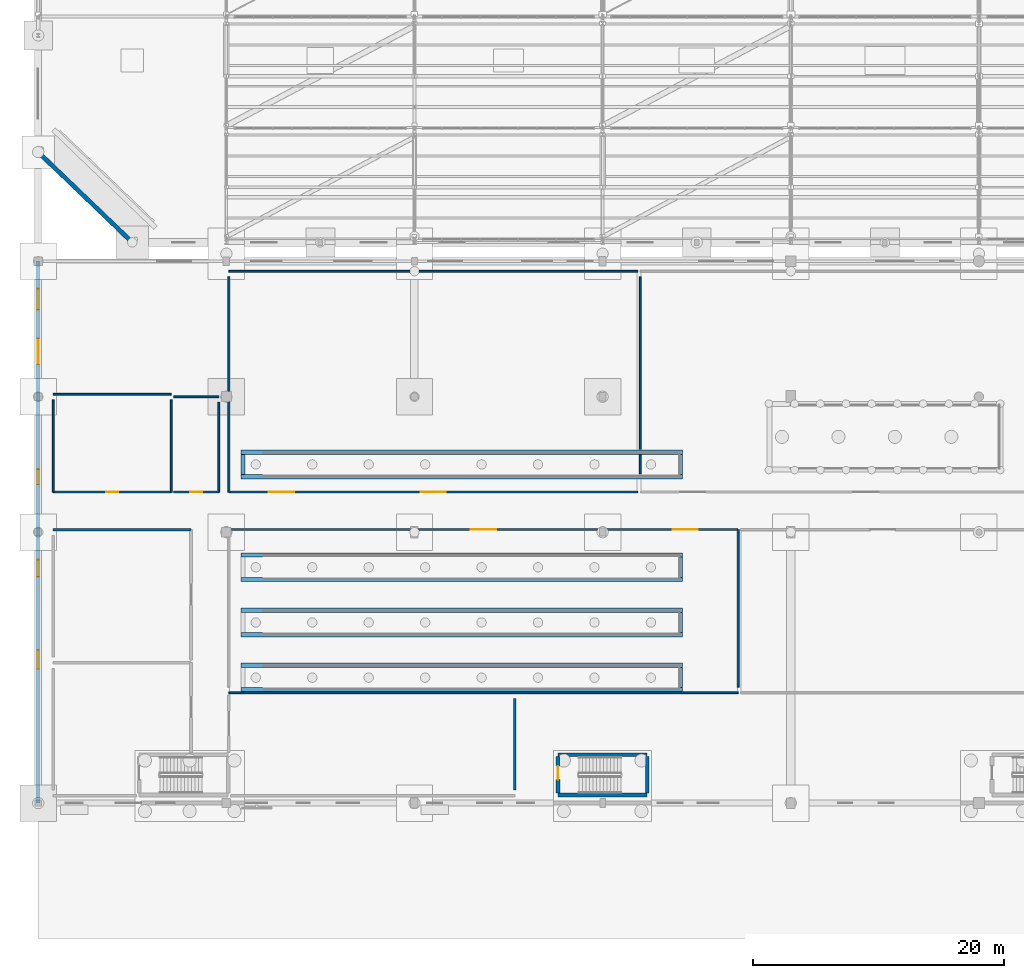
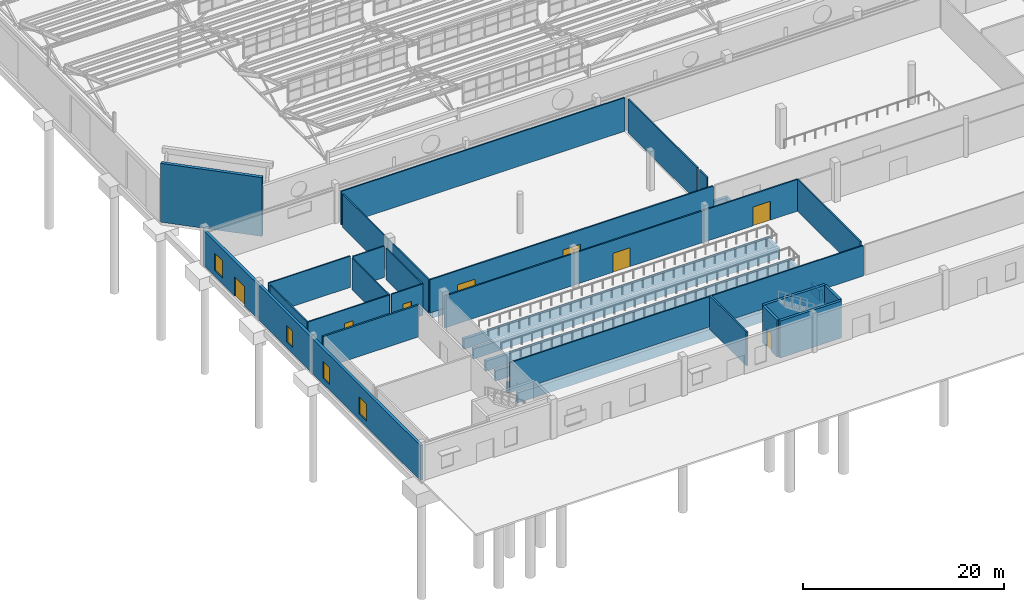
# One storey, part 249 of 285: 36 walls, 8 doors, 4 windows, 12 openings.
"""IFC4 building model written with IfcOpenShell, lengths in metres."""

from ifc_helpers import new_model, si_unit, direction, frame, frame_2d, origin, place, context, subcontext, project, spatial, rectangle, extrude, material, layer, layer_set, type_object, element, fill, save


model = new_model("IFC4")

# Units and contexts
model_context = context("Model", 3, precision=1e-05, world=origin(), true_north=direction((0.0, 1.0)))
body_context = subcontext(model_context, "Body", "Model", "MODEL_VIEW")
ifc_project = project(units=[si_unit("LENGTHUNIT", "METRE"), si_unit("AREAUNIT", "SQUARE_METRE"), si_unit("VOLUMEUNIT", "CUBIC_METRE"), si_unit("PLANEANGLEUNIT", "RADIAN"), si_unit("MASSUNIT", "GRAM", prefix="KILO")], contexts=[model_context])

# Site, building, storey
site_placement = place(None, origin())
site = spatial("IfcSite", under=ifc_project, at=site_placement, CompositionType="ELEMENT")
building_placement = place(site_placement, origin())
building = spatial("IfcBuilding", under=site, at=building_placement, Name="Solanera Park Tramway Depot", CompositionType="ELEMENT")
storey_placement = place(building_placement, origin())
storey = spatial("IfcBuildingStorey", under=building, at=storey_placement, Name="L00", CompositionType="ELEMENT", Elevation=0.0)

# Walls
ifc_material_1 = material(Name="Concrete N32 (C32/40)", Category="concrete")
ifc_layer_1 = layer(ifc_material_1, 0.14990234375)
ifc_layer_set_1 = layer_set([ifc_layer_1], Name="Concrete N32 (C32/40)")
wall_type_1 = type_object("IfcWallType", Name="Acoustic Partition 150", PredefinedType="PARTITIONING", material=ifc_layer_set_1)
wall_1_placement = place(storey_placement, frame((55.800048828125, 19.60009765625, 0.0), z_axis=(0.0, 0.0, 1.0), x_axis=(-1.0, 0.0, 0.0)))
element("IfcWall", 1, at=wall_1_placement, inside=storey, type_object=wall_type_1, Name="Bogie Overhaul and Lifting Jack Hall Dividing Wall", PredefinedType="PARTITIONING", context=body_context, shape_type="SweptSolid", body=[
    extrude(rectangle(XDim=40.60009765625, YDim=0.14990234375, at=frame_2d((20.300048828125, 0.0))), origin(), (0.0, 0.0, 1.0), 3.681884765625),
])
wall_2_placement = place(storey_placement, frame((55.800048828125, 20.050048828125, 0.0), z_axis=(0.0, 0.0, 1.0), x_axis=(0.0, 1.0, 0.0)))
element("IfcWall", 2, at=wall_2_placement, inside=storey, type_object=wall_type_1, Name="Bogie Overhaul and Lifting Jack Hall Dividing Wall", PredefinedType="PARTITIONING", context=body_context, shape_type="SweptSolid", body=[
    extrude(rectangle(XDim=12.550048828125, YDim=0.14990234375, at=frame_2d((6.27490234375, 0.0))), origin(), (0.0, 0.0, 1.0), 3.870361328125),
])
wall_3_placement = place(storey_placement, frame((48.0, 52.75, 0.0), z_axis=(0.0, 0.0, 1.0), x_axis=(0.0, -1.0, 0.0)))
element("IfcWall", 3, at=wall_3_placement, inside=storey, type_object=wall_type_1, Name="Underfloor Wheel Lathe Hall Dividing Wall", PredefinedType="PARTITIONING", context=body_context, shape_type="SweptSolid", body=[
    extrude(rectangle(XDim=13.7548828125, YDim=0.14990234375, at=frame_2d((6.87744140625, 0.0))), origin(), (0.0, 0.0, 1.0), 4.10009765625),
])
wall_4_placement = place(storey_placement, frame((48.0, 38.554931640625, 0.0), z_axis=(0.0, 0.0, 1.0), x_axis=(0.0, -1.0, 0.0)))
element("IfcWall", 4, at=wall_4_placement, inside=storey, type_object=wall_type_1, Name="Underfloor Wheel Lathe Hall Dividing Wall", PredefinedType="PARTITIONING", context=body_context, shape_type="SweptSolid", body=[
    extrude(rectangle(XDim=1.510009765625, YDim=0.14990234375, at=frame_2d((0.7548828125, 0.0))), origin(), (0.0, 0.0, 1.0), 4.10009765625),
])
wall_5_placement = place(storey_placement, frame((15.199951171875, 53.199951171875, 0.0), z_axis=(0.0, 0.0, 1.0), x_axis=(1.0, 0.0, 0.0)))
element("IfcWall", 5, at=wall_5_placement, inside=storey, type_object=wall_type_1, Name="Tram Bodywork and Paint Spray Booth Dividing Wall", PredefinedType="PARTITIONING", context=body_context, shape_type="SweptSolid", body=[
    extrude(rectangle(XDim=32.60009765625, YDim=0.14990234375, at=frame_2d((16.300048828125, 0.0))), origin(), (0.0, 0.0, 1.0), 4.10009765625),
])
wall_6_placement = place(storey_placement, frame((15.199951171875, 52.75, 0.0), z_axis=(0.0, 0.0, 1.0), x_axis=(0.0, -1.0, 0.0)))
element("IfcWall", 6, at=wall_6_placement, inside=storey, type_object=wall_type_1, Name="Tram Bodywork and Paint Spray Booth Dividing Wall", PredefinedType="PARTITIONING", context=body_context, shape_type="SweptSolid", body=[
    extrude(rectangle(XDim=17.14990234375, YDim=0.14990234375, at=frame_2d((8.574951171875, 0.0))), origin(), (0.0, 0.0, 1.0), 4.024658203125),
])
ifc_material_2 = material(Name="Concrete N40 (C40/50)", Category="concrete")
ifc_layer_2 = layer(ifc_material_2, 0.300048828125)
ifc_layer_set_2 = layer_set([ifc_layer_2], Name="Concrete N40 (C40/50)")
wall_type_2 = type_object("IfcWallType", Name="Core Shear Wall 300", PredefinedType="SHEAR", material=ifc_layer_set_2)
for number, where, z_axis, x_axis, name in (
    (7, (41.449951171875, 11.449951171875, 0.0), (0.0, 0.0, 1.0), (1.0, 0.0, 0.0), "ST-12 L00 Shear Core Wall S"),
    (8, (48.550048828125, 14.64990234375, 0.0), (0.0, 0.0, 1.0), (-1.0, 0.0, 0.0), "ST-12 L00 Shear Core Wall N"),
):
    element("IfcWall", number, at=place(storey_placement, frame(where, z_axis=z_axis, x_axis=x_axis)), inside=storey, type_object=wall_type_2, Name=name, PredefinedType="SHEAR", context=body_context, shape_type="SweptSolid", body=[
        extrude(rectangle(XDim=7.10009765625, YDim=0.300048828125, at=frame_2d((3.550048828125, 0.0))), origin(), (0.0, 0.0, 1.0), 4.5),
    ])
wall_7_placement = place(storey_placement, frame((48.550048828125, 11.60009765625, 0.0), z_axis=(0.0, 0.0, 1.0), x_axis=(0.0, 1.0, 0.0)))
element("IfcWall", 9, at=wall_7_placement, inside=storey, type_object=wall_type_2, Name="ST-12 L00 Shear Core Wall E", PredefinedType="SHEAR", context=body_context, shape_type="SweptSolid", body=[
    extrude(rectangle(XDim=2.89990234375, YDim=0.300048828125, at=frame_2d((1.449951171875, 0.0))), origin(), (0.0, 0.0, 1.0), 4.5),
])

# Wall, opening, door
wall_8_placement = place(storey_placement, frame((41.449951171875, 14.5, 0.0), z_axis=(0.0, 0.0, 1.0), x_axis=(0.0, -1.0, 0.0)))
wall_8 = element("IfcWall", 10, at=wall_8_placement, inside=storey, type_object=wall_type_2, Name="ST-12 L00 Shear Core Wall W", PredefinedType="SHEAR", context=body_context, shape_type="SweptSolid", body=[
    extrude(rectangle(XDim=2.89990234375, YDim=0.300048828125, at=frame_2d((1.449951171875, 0.0))), origin(), (0.0, 0.0, 1.0), 4.5),
])
opening_1_placement = place(wall_8_placement, frame((0.75, 0.0, 0.0)))
opening_1 = element("IfcOpeningElement", 11, at=opening_1_placement, cuts=wall_8, Name="Opening FD-S1R", PredefinedType="OPENING", context=body_context, shape_type="SweptSolid", body=[
    extrude(rectangle(XDim=1.070068359375, YDim=2.14990234375, at=frame_2d((0.53515625, 1.074951171875))), frame((0.0, 0.16015625, 0.0), z_axis=(0.0, -1.0, 0.0), x_axis=(1.0, 0.0, 0.0)), (0.0, 0.0, 1.0), 0.320068359375),
])
ifc_material_3 = material(Name="Fire-rated steel or solid-core hardwood door leaf", Category="steel")
door_type_1 = type_object("IfcDoorType", Name="Stair Fire Door R 1070x2150", OperationType="SINGLE_SWING_RIGHT", PredefinedType="DOOR", material=ifc_material_3)
door_1_placement = place(opening_1_placement, frame((1.070068359375, 0.0, 0.0), z_axis=(0.0, 0.0, 1.0), x_axis=(-1.0, 0.0, 0.0)))
door_1 = element("IfcDoor", 12, at=door_1_placement, inside=storey, type_object=door_type_1, Name="ST-12 L00 Stair Fire Door", OperationType="SINGLE_SWING_RIGHT", OverallHeight=2.14990234375, OverallWidth=1.070068359375, PredefinedType="DOOR", context=body_context, shape_type="SweptSolid", body=[
    extrude(rectangle(XDim=1.070068359375, YDim=2.14990234375, at=frame_2d((0.53515625, 1.074951171875))), frame((0.0, 0.02490234375, 0.0), z_axis=(0.0, -1.0, 0.0), x_axis=(1.0, 0.0, 0.0)), (0.0, 0.0, 1.0), 0.050048828125),
])
fill(opening_1, door_1)

# Wall, openings, door, windows
ifc_material_4 = material(Name="Concrete N32 (C32/40)", Category="concrete")
ifc_layer_3 = layer(ifc_material_4, 0.320068359375)
ifc_layer_set_3 = layer_set([ifc_layer_3], Name="Concrete N32 (C32/40)")
wall_type_3 = type_object("IfcWallType", Name="Ext Stucco Wall 320", PredefinedType="SOLIDWALL", material=ifc_layer_set_3)
wall_9_placement = place(storey_placement, frame((0.0, 54.0, 0.0), z_axis=(0.0, 0.0, 1.0), x_axis=(0.0, -1.0, 0.0)))
wall_9 = element("IfcWall", 13, at=wall_9_placement, inside=storey, type_object=wall_type_3, Name="L00 Exterior Wall #003", PredefinedType="SOLIDWALL", context=body_context, shape_type="SweptSolid", body=[
    extrude(rectangle(XDim=43.199951171875, YDim=0.320068359375, at=frame_2d((21.60009765625, 0.0))), origin(), (0.0, 0.0, 1.0), 4.25),
])
opening_2_placement = place(wall_9_placement, frame((2.199951171875, 0.0, 0.719970703125)))
opening_2 = element("IfcOpeningElement", 14, at=opening_2_placement, cuts=wall_9, Name="Opening WN-A16", PredefinedType="OPENING", context=body_context, shape_type="SweptSolid", body=[
    extrude(rectangle(XDim=1.64990234375, YDim=2.10009765625, at=frame_2d((0.824951171875, 1.050048828125))), frame((0.0, 0.169921875, 0.0), z_axis=(0.0, -1.0, 0.0), x_axis=(1.0, 0.0, 0.0)), (0.0, 0.0, 1.0), 0.340087890625),
])
opening_3_placement = place(wall_9_placement, frame((16.60009765625, 0.0, 0.719970703125)))
opening_3 = element("IfcOpeningElement", 15, at=opening_3_placement, cuts=wall_9, Name="Opening WN-A12", PredefinedType="OPENING", context=body_context, shape_type="SweptSolid", body=[
    extrude(rectangle(XDim=1.199951171875, YDim=2.0, at=frame_2d((0.60009765625, 1.0))), frame((0.0, 0.169921875, 0.0), z_axis=(0.0, -1.0, 0.0), x_axis=(1.0, 0.0, 0.0)), (0.0, 0.0, 1.0), 0.340087890625),
])
opening_4_placement = place(wall_9_placement, frame((23.800048828125, 0.0, 0.719970703125)))
opening_4 = element("IfcOpeningElement", 16, at=opening_4_placement, cuts=wall_9, Name="Opening WN-A13", PredefinedType="OPENING", context=body_context, shape_type="SweptSolid", body=[
    extrude(rectangle(XDim=1.35009765625, YDim=2.050048828125, at=frame_2d((0.675048828125, 1.02490234375))), frame((0.0, 0.169921875, 0.0), z_axis=(0.0, -1.0, 0.0), x_axis=(1.0, 0.0, 0.0)), (0.0, 0.0, 1.0), 0.340087890625),
])
opening_5_placement = place(wall_9_placement, frame((31.0, 0.0, 0.719970703125)))
opening_5 = element("IfcOpeningElement", 17, at=opening_5_placement, cuts=wall_9, Name="Opening WN-A15", PredefinedType="OPENING", context=body_context, shape_type="SweptSolid", body=[
    extrude(rectangle(XDim=1.5, YDim=2.10009765625, at=frame_2d((0.75, 1.050048828125))), frame((0.0, 0.169921875, 0.0), z_axis=(0.0, -1.0, 0.0), x_axis=(1.0, 0.0, 0.0)), (0.0, 0.0, 1.0), 0.340087890625),
])
opening_6_placement = place(wall_9_placement, frame((6.199951171875, 0.0, 0.0)))
opening_6 = element("IfcOpeningElement", 18, at=opening_6_placement, cuts=wall_9, Name="Opening ED-01", PredefinedType="OPENING", context=body_context, shape_type="SweptSolid", body=[
    extrude(rectangle(XDim=2.0, YDim=2.35009765625, at=frame_2d((1.0, 1.175048828125))), frame((0.0, 0.169921875, 0.0), z_axis=(0.0, -1.0, 0.0), x_axis=(1.0, 0.0, 0.0)), (0.0, 0.0, 1.0), 0.340087890625),
])
ifc_material_5 = material(Name="Powder-coated aluminium and steel portal leaf", Category="steel")
door_type_2 = type_object("IfcDoorType", Name="Civic Entrance Double Door 2000x2350", OperationType="DOUBLE_SWING_LEFT", PredefinedType="DOOR", material=ifc_material_5)
door_2_placement = place(opening_6_placement, frame((2.0, 0.0, 0.0), z_axis=(0.0, 0.0, 1.0), x_axis=(-1.0, 0.0, 0.0)))
door_2 = element("IfcDoor", 19, at=door_2_placement, inside=storey, type_object=door_type_2, Name="Ground Final Exit Double Door #0032", OperationType="DOUBLE_SWING_LEFT", OverallHeight=2.35009765625, OverallWidth=2.0, PredefinedType="DOOR", context=body_context, shape_type="SweptSolid", body=[
    extrude(rectangle(XDim=2.0, YDim=2.35009765625, at=frame_2d((1.0, 1.175048828125))), frame((0.0, 0.02490234375, 0.0), z_axis=(0.0, -1.0, 0.0), x_axis=(1.0, 0.0, 0.0)), (0.0, 0.0, 1.0), 0.050048828125),
])
fill(opening_6, door_2)
ifc_material_6 = material(Name="Powder-coated aluminium frame with solar-control double glazing", Category="aluminium")
window_type_1 = type_object("IfcWindowType", Name="Deep-Reveal Arched Window 1200x2000", PartitioningType="SINGLE_PANEL", PredefinedType="WINDOW", material=ifc_material_6)
window_1_placement = place(opening_3_placement, origin())
window_1 = element("IfcWindow", 20, at=window_1_placement, inside=storey, type_object=window_type_1, Name="L00 Deep-Reveal Arched Window 1200x2000 #0035", OverallHeight=2.0, OverallWidth=1.199951171875, PartitioningType="SINGLE_PANEL", PredefinedType="WINDOW", context=body_context, shape_type="SweptSolid", body=[
    extrude(rectangle(XDim=1.199951171875, YDim=2.0, at=frame_2d((0.60009765625, 1.0))), frame((0.0, 0.030029296875, 0.0), z_axis=(0.0, -1.0, 0.0), x_axis=(1.0, 0.0, 0.0)), (0.0, 0.0, 1.0), 0.06005859375),
])
fill(opening_3, window_1)
ifc_material_7 = material(Name="Powder-coated aluminium frame with solar-control double glazing", Category="aluminium")
window_type_2 = type_object("IfcWindowType", Name="Deep-Reveal Arched Window 1350x2050", PartitioningType="SINGLE_PANEL", PredefinedType="WINDOW", material=ifc_material_7)
window_2_placement = place(opening_4_placement, origin())
window_2 = element("IfcWindow", 21, at=window_2_placement, inside=storey, type_object=window_type_2, Name="L00 Deep-Reveal Arched Window 1350x2050 #0036", OverallHeight=2.050048828125, OverallWidth=1.35009765625, PartitioningType="SINGLE_PANEL", PredefinedType="WINDOW", context=body_context, shape_type="SweptSolid", body=[
    extrude(rectangle(XDim=1.35009765625, YDim=2.050048828125, at=frame_2d((0.675048828125, 1.02490234375))), frame((0.0, 0.030029296875, 0.0), z_axis=(0.0, -1.0, 0.0), x_axis=(1.0, 0.0, 0.0)), (0.0, 0.0, 1.0), 0.06005859375),
])
fill(opening_4, window_2)
ifc_material_8 = material(Name="Powder-coated aluminium frame with solar-control double glazing", Category="aluminium")
window_type_3 = type_object("IfcWindowType", Name="Deep-Reveal Arched Window 1500x2100", PartitioningType="SINGLE_PANEL", PredefinedType="WINDOW", material=ifc_material_8)
window_3_placement = place(opening_5_placement, origin())
window_3 = element("IfcWindow", 22, at=window_3_placement, inside=storey, type_object=window_type_3, Name="L00 Deep-Reveal Arched Window 1500x2100 #0037", OverallHeight=2.10009765625, OverallWidth=1.5, PartitioningType="SINGLE_PANEL", PredefinedType="WINDOW", context=body_context, shape_type="SweptSolid", body=[
    extrude(rectangle(XDim=1.5, YDim=2.10009765625, at=frame_2d((0.75, 1.050048828125))), frame((0.0, 0.030029296875, 0.0), z_axis=(0.0, -1.0, 0.0), x_axis=(1.0, 0.0, 0.0)), (0.0, 0.0, 1.0), 0.06005859375),
])
fill(opening_5, window_3)
ifc_material_9 = material(Name="Powder-coated aluminium frame with solar-control double glazing", Category="aluminium")
window_type_4 = type_object("IfcWindowType", Name="Deep-Reveal Arched Window 1650x2100", PartitioningType="SINGLE_PANEL", PredefinedType="WINDOW", material=ifc_material_9)
window_4_placement = place(opening_2_placement, origin())
window_4 = element("IfcWindow", 23, at=window_4_placement, inside=storey, type_object=window_type_4, Name="L00 Deep-Reveal Arched Window 1650x2100 #0034", OverallHeight=2.10009765625, OverallWidth=1.64990234375, PartitioningType="SINGLE_PANEL", PredefinedType="WINDOW", context=body_context, shape_type="SweptSolid", body=[
    extrude(rectangle(XDim=1.64990234375, YDim=2.10009765625, at=frame_2d((0.824951171875, 1.050048828125))), frame((0.0, 0.030029296875, 0.0), z_axis=(0.0, -1.0, 0.0), x_axis=(1.0, 0.0, 0.0)), (0.0, 0.0, 1.0), 0.06005859375),
])
fill(opening_2, window_4)

# Walls
ifc_material_10 = material(Name="Concrete N32 (C32/40)", Category="concrete")
ifc_layer_4 = layer(ifc_material_10, 0.35009765625)
ifc_layer_set_4 = layer_set([ifc_layer_4], Name="Concrete N32 (C32/40)")
wall_type_4 = type_object("IfcWallType", Name="Ext Stucco Wall 350", PredefinedType="SOLIDWALL", material=ifc_layer_set_4)
wall_10_placement = place(storey_placement, frame((0.0, 62.699951171875, 0.0), z_axis=(0.0, 0.0, 1.0), x_axis=(0.721389667345, -0.692529384104, 0.0)))
element("IfcWall", 24, at=wall_10_placement, inside=storey, type_object=wall_type_4, Name="L00 V1 Perimeter Wall V1-CSW", PredefinedType="SOLIDWALL", context=body_context, shape_type="SweptSolid", body=[
    extrude(rectangle(XDim=10.396484375, YDim=0.35009765625, at=frame_2d((5.1982421875, 0.0))), origin(), (0.0, 0.0, 1.0), 7.14990234375),
])
ifc_material_11 = material(Name="Concrete N32 (C32/40)", Category="concrete")
ifc_layer_5 = layer(ifc_material_11, 0.199951171875)
ifc_layer_set_5 = layer_set([ifc_layer_5], Name="Concrete N32 (C32/40)")
wall_type_5 = type_object("IfcWallType", Name="Fire Compartment Wall 200", PredefinedType="SOLIDWALL", material=ifc_layer_set_5)
wall_11_placement = place(storey_placement, frame((1.199951171875, 32.60009765625, 0.0), z_axis=(0.0, 0.0, 1.0), x_axis=(1.0, 0.0, 0.0)))
element("IfcWall", 25, at=wall_11_placement, inside=storey, type_object=wall_type_5, Name="Wheelset and Axle Quarantine Store Dividing Wall", PredefinedType="SOLIDWALL", context=body_context, shape_type="SweptSolid", body=[
    extrude(rectangle(XDim=11.0, YDim=0.199951171875, at=frame_2d((5.5, 0.0))), origin(), (0.0, 0.0, 1.0), 3.870361328125),
])
wall_12_placement = place(storey_placement, frame((38.0, 11.85009765625, 0.0), z_axis=(0.0, 0.0, 1.0), x_axis=(0.0, 1.0, 0.0)))
element("IfcWall", 26, at=wall_12_placement, inside=storey, type_object=wall_type_5, Name="Workshop Main Switchroom and Plant Dividing Wall", PredefinedType="SOLIDWALL", context=body_context, shape_type="SweptSolid", body=[
    extrude(rectangle(XDim=7.2998046875, YDim=0.199951171875, at=frame_2d((3.64990234375, 0.0))), origin(), (0.0, 0.0, 1.0), 4.10009765625),
])

# Wall, openings, doors
ifc_material_12 = material(Name="Concrete N32 (C32/40)", Category="concrete")
ifc_layer_6 = layer(ifc_material_12, 0.159912109375)
ifc_layer_set_6 = layer_set([ifc_layer_6], Name="Concrete N32 (C32/40)")
wall_type_6 = type_object("IfcWallType", Name="Fire Corridor Wall 160", PredefinedType="PARTITIONING", material=ifc_layer_set_6)
wall_13_placement = place(storey_placement, frame((15.199951171875, 32.60009765625, 0.0), z_axis=(0.0, 0.0, 1.0), x_axis=(1.0, 0.0, 0.0)))
wall_13 = element("IfcWall", 27, at=wall_13_placement, inside=storey, type_object=wall_type_6, Name="Bogie Overhaul and Lifting Jack Hall Corridor Wall", PredefinedType="PARTITIONING", context=body_context, shape_type="SweptSolid", body=[
    extrude(rectangle(XDim=40.60009765625, YDim=0.159912109375, at=frame_2d((20.300048828125, 0.0))), origin(), (0.0, 0.0, 1.0), 3.870361328125),
])
opening_7_placement = place(wall_13_placement, frame((19.300048828125, 0.0, 0.0)))
opening_7 = element("IfcOpeningElement", 28, at=opening_7_placement, cuts=wall_13, Name="Opening ID-K2D", PredefinedType="OPENING", context=body_context, shape_type="SweptSolid", body=[
    extrude(rectangle(XDim=2.0, YDim=2.300048828125, at=frame_2d((1.0, 1.14990234375))), frame((0.0, 0.08984375, 0.0), z_axis=(0.0, -1.0, 0.0), x_axis=(1.0, 0.0, 0.0)), (0.0, 0.0, 1.0), 0.179931640625),
])
opening_8_placement = place(wall_13_placement, frame((35.39990234375, 0.0, 0.0)))
opening_8 = element("IfcOpeningElement", 29, at=opening_8_placement, cuts=wall_13, Name="Opening ID-K2D", PredefinedType="OPENING", context=body_context, shape_type="SweptSolid", body=[
    extrude(rectangle(XDim=2.0, YDim=2.300048828125, at=frame_2d((1.0, 1.14990234375))), frame((0.0, 0.08984375, 0.0), z_axis=(0.0, -1.0, 0.0), x_axis=(1.0, 0.0, 0.0)), (0.0, 0.0, 1.0), 0.179931640625),
])
ifc_material_13 = material(Name="Fire-rated steel or solid-core hardwood door leaf", Category="steel")
door_type_3 = type_object("IfcDoorType", Name="Workshop Bay Double Door 2000x2300", OperationType="DOUBLE_SWING_LEFT", PredefinedType="DOOR", material=ifc_material_13)
door_3_placement = place(opening_7_placement, origin())
door_3 = element("IfcDoor", 30, at=door_3_placement, inside=storey, type_object=door_type_3, Name="Bogie Overhaul and Lifting Jack Hall Door", OperationType="DOUBLE_SWING_LEFT", OverallHeight=2.300048828125, OverallWidth=2.0, PredefinedType="DOOR", context=body_context, shape_type="SweptSolid", body=[
    extrude(rectangle(XDim=2.0, YDim=2.300048828125, at=frame_2d((1.0, 1.14990234375))), frame((0.0, 0.02490234375, 0.0), z_axis=(0.0, -1.0, 0.0), x_axis=(1.0, 0.0, 0.0)), (0.0, 0.0, 1.0), 0.050048828125),
])
fill(opening_7, door_3)
door_4_placement = place(opening_8_placement, origin())
door_4 = element("IfcDoor", 31, at=door_4_placement, inside=storey, type_object=door_type_3, Name="Bogie Overhaul and Lifting Jack Hall Secondary Exit Door", OperationType="DOUBLE_SWING_LEFT", OverallHeight=2.300048828125, OverallWidth=2.0, PredefinedType="DOOR", context=body_context, shape_type="SweptSolid", body=[
    extrude(rectangle(XDim=2.0, YDim=2.300048828125, at=frame_2d((1.0, 1.14990234375))), frame((0.0, 0.02490234375, 0.0), z_axis=(0.0, -1.0, 0.0), x_axis=(1.0, 0.0, 0.0)), (0.0, 0.0, 1.0), 0.050048828125),
])
fill(opening_8, door_4)

wall_14_placement = place(storey_placement, frame((47.800048828125, 35.60009765625, 0.0), z_axis=(0.0, 0.0, 1.0), x_axis=(-1.0, 0.0, 0.0)))
wall_14 = element("IfcWall", 32, at=wall_14_placement, inside=storey, type_object=wall_type_6, Name="Tram Bodywork and Paint Spray Booth Corridor Wall", PredefinedType="PARTITIONING", context=body_context, shape_type="SweptSolid", body=[
    extrude(rectangle(XDim=32.60009765625, YDim=0.159912109375, at=frame_2d((16.300048828125, 0.0))), origin(), (0.0, 0.0, 1.0), 4.024658203125),
])
opening_9_placement = place(wall_14_placement, frame((15.300048828125, 0.0, 0.0)))
opening_9 = element("IfcOpeningElement", 33, at=opening_9_placement, cuts=wall_14, Name="Opening ID-K2D", PredefinedType="OPENING", context=body_context, shape_type="SweptSolid", body=[
    extrude(rectangle(XDim=2.0, YDim=2.300048828125, at=frame_2d((1.0, 1.14990234375))), frame((0.0, 0.08984375, 0.0), z_axis=(0.0, -1.0, 0.0), x_axis=(1.0, 0.0, 0.0)), (0.0, 0.0, 1.0), 0.179931640625),
])
opening_10_placement = place(wall_14_placement, frame((27.39990234375, 0.0, 0.0)))
opening_10 = element("IfcOpeningElement", 34, at=opening_10_placement, cuts=wall_14, Name="Opening ID-K2D", PredefinedType="OPENING", context=body_context, shape_type="SweptSolid", body=[
    extrude(rectangle(XDim=2.0, YDim=2.300048828125, at=frame_2d((1.0, 1.14990234375))), frame((0.0, 0.08984375, 0.0), z_axis=(0.0, -1.0, 0.0), x_axis=(1.0, 0.0, 0.0)), (0.0, 0.0, 1.0), 0.179931640625),
])
door_5_placement = place(opening_9_placement, origin())
door_5 = element("IfcDoor", 35, at=door_5_placement, inside=storey, type_object=door_type_3, Name="Tram Bodywork and Paint Spray Booth Door", OperationType="DOUBLE_SWING_LEFT", OverallHeight=2.300048828125, OverallWidth=2.0, PredefinedType="DOOR", context=body_context, shape_type="SweptSolid", body=[
    extrude(rectangle(XDim=2.0, YDim=2.300048828125, at=frame_2d((1.0, 1.14990234375))), frame((0.0, 0.02490234375, 0.0), z_axis=(0.0, -1.0, 0.0), x_axis=(1.0, 0.0, 0.0)), (0.0, 0.0, 1.0), 0.050048828125),
])
fill(opening_9, door_5)
door_6_placement = place(opening_10_placement, origin())
door_6 = element("IfcDoor", 36, at=door_6_placement, inside=storey, type_object=door_type_3, Name="Tram Bodywork and Paint Spray Booth Secondary Exit Door", OperationType="DOUBLE_SWING_LEFT", OverallHeight=2.300048828125, OverallWidth=2.0, PredefinedType="DOOR", context=body_context, shape_type="SweptSolid", body=[
    extrude(rectangle(XDim=2.0, YDim=2.300048828125, at=frame_2d((1.0, 1.14990234375))), frame((0.0, 0.02490234375, 0.0), z_axis=(0.0, -1.0, 0.0), x_axis=(1.0, 0.0, 0.0)), (0.0, 0.0, 1.0), 0.050048828125),
])
fill(opening_10, door_6)

# Walls
ifc_material_14 = material(Name="Concrete N40 (C40/50)", Category="concrete")
ifc_layer_7 = layer(ifc_material_14, 0.35009765625)
ifc_layer_set_7 = layer_set([ifc_layer_7], Name="Concrete N40 (C40/50)")
wall_type_7 = type_object("IfcWallType", Name="Pit Retaining Wall 350", PredefinedType="USERDEFINED", material=ifc_layer_set_7)
for number, where, z_axis, x_axis, name in (
    (37, (16.14990234375, 19.824951171875, -1.64990234375), (0.0, 0.0, 1.0), (1.0, 0.0, 0.0), "Pit Retaining Wall PIT-01 S"),
    (38, (16.14990234375, 21.77490234375, -1.64990234375), (0.0, 0.0, 1.0), (1.0, 0.0, 0.0), "Pit Retaining Wall PIT-01 N"),
):
    element("IfcWall", number, at=place(storey_placement, frame(where, z_axis=z_axis, x_axis=x_axis)), inside=storey, type_object=wall_type_7, Name=name, ObjectType="RETAINING WALL", PredefinedType="USERDEFINED", context=body_context, shape_type="SweptSolid", body=[
        extrude(rectangle(XDim=35.2001953125, YDim=0.35009765625, at=frame_2d((17.60009765625, 0.0))), origin(), (0.0, 0.0, 1.0), 1.224853515625),
    ])
wall_15_placement = place(storey_placement, frame((51.175048828125, 20.0, -1.64990234375), z_axis=(0.0, 0.0, 1.0), x_axis=(0.0, 1.0, 0.0)))
element("IfcWall", 39, at=wall_15_placement, inside=storey, type_object=wall_type_7, Name="Pit Retaining Wall PIT-01 E", ObjectType="RETAINING WALL", PredefinedType="USERDEFINED", context=body_context, shape_type="SweptSolid", body=[
    extrude(rectangle(XDim=1.60009765625, YDim=0.35009765625, at=frame_2d((0.800048828125, 0.0))), origin(), (0.0, 0.0, 1.0), 1.224853515625),
])
for number, where, z_axis, x_axis, name in (
    (40, (16.14990234375, 24.22509765625, -1.64990234375), (0.0, 0.0, 1.0), (1.0, 0.0, 0.0), "Pit Retaining Wall PIT-02 S"),
    (41, (16.14990234375, 26.175048828125, -1.64990234375), (0.0, 0.0, 1.0), (1.0, 0.0, 0.0), "Pit Retaining Wall PIT-02 N"),
):
    element("IfcWall", number, at=place(storey_placement, frame(where, z_axis=z_axis, x_axis=x_axis)), inside=storey, type_object=wall_type_7, Name=name, ObjectType="RETAINING WALL", PredefinedType="USERDEFINED", context=body_context, shape_type="SweptSolid", body=[
        extrude(rectangle(XDim=35.2001953125, YDim=0.35009765625, at=frame_2d((17.60009765625, 0.0))), origin(), (0.0, 0.0, 1.0), 1.224853515625),
    ])
wall_16_placement = place(storey_placement, frame((51.175048828125, 24.39990234375, -1.64990234375), z_axis=(0.0, 0.0, 1.0), x_axis=(0.0, 1.0, 0.0)))
element("IfcWall", 42, at=wall_16_placement, inside=storey, type_object=wall_type_7, Name="Pit Retaining Wall PIT-02 E", ObjectType="RETAINING WALL", PredefinedType="USERDEFINED", context=body_context, shape_type="SweptSolid", body=[
    extrude(rectangle(XDim=1.60009765625, YDim=0.35009765625, at=frame_2d((0.800048828125, 0.0))), origin(), (0.0, 0.0, 1.0), 1.224853515625),
])
for number, where, z_axis, x_axis, name in (
    (43, (16.14990234375, 28.625, -1.64990234375), (0.0, 0.0, 1.0), (1.0, 0.0, 0.0), "Pit Retaining Wall PIT-03 S"),
    (44, (16.14990234375, 30.574951171875, -1.64990234375), (0.0, 0.0, 1.0), (1.0, 0.0, 0.0), "Pit Retaining Wall PIT-03 N"),
):
    element("IfcWall", number, at=place(storey_placement, frame(where, z_axis=z_axis, x_axis=x_axis)), inside=storey, type_object=wall_type_7, Name=name, ObjectType="RETAINING WALL", PredefinedType="USERDEFINED", context=body_context, shape_type="SweptSolid", body=[
        extrude(rectangle(XDim=35.2001953125, YDim=0.35009765625, at=frame_2d((17.60009765625, 0.0))), origin(), (0.0, 0.0, 1.0), 1.224853515625),
    ])
wall_17_placement = place(storey_placement, frame((51.175048828125, 28.800048828125, -1.64990234375), z_axis=(0.0, 0.0, 1.0), x_axis=(0.0, 1.0, 0.0)))
element("IfcWall", 45, at=wall_17_placement, inside=storey, type_object=wall_type_7, Name="Pit Retaining Wall PIT-03 E", ObjectType="RETAINING WALL", PredefinedType="USERDEFINED", context=body_context, shape_type="SweptSolid", body=[
    extrude(rectangle(XDim=1.599853515625, YDim=0.35009765625, at=frame_2d((0.7998046875, 0.0))), origin(), (0.0, 0.0, 1.0), 1.224853515625),
])
for number, where, z_axis, x_axis, name in (
    (46, (16.14990234375, 36.824951171875, -1.64990234375), (0.0, 0.0, 1.0), (1.0, 0.0, 0.0), "Pit Retaining Wall PIT-04 S"),
    (47, (16.14990234375, 38.77490234375, -1.64990234375), (0.0, 0.0, 1.0), (1.0, 0.0, 0.0), "Pit Retaining Wall PIT-04 N"),
):
    element("IfcWall", number, at=place(storey_placement, frame(where, z_axis=z_axis, x_axis=x_axis)), inside=storey, type_object=wall_type_7, Name=name, ObjectType="RETAINING WALL", PredefinedType="USERDEFINED", context=body_context, shape_type="SweptSolid", body=[
        extrude(rectangle(XDim=35.2001953125, YDim=0.35009765625, at=frame_2d((17.60009765625, 0.0))), origin(), (0.0, 0.0, 1.0), 1.224853515625),
    ])
for number, where, z_axis, x_axis, name in (
    (48, (16.324951171875, 37.0, -1.64990234375), (0.0, 0.0, 1.0), (0.0, 1.0, 0.0), "Pit Retaining Wall PIT-04 W"),
    (49, (51.175048828125, 37.0, -1.64990234375), (0.0, 0.0, 1.0), (0.0, 1.0, 0.0), "Pit Retaining Wall PIT-04 E"),
):
    element("IfcWall", number, at=place(storey_placement, frame(where, z_axis=z_axis, x_axis=x_axis)), inside=storey, type_object=wall_type_7, Name=name, ObjectType="RETAINING WALL", PredefinedType="USERDEFINED", context=body_context, shape_type="SweptSolid", body=[
        extrude(rectangle(XDim=1.60009765625, YDim=0.35009765625, at=frame_2d((0.800048828125, 0.0))), origin(), (0.0, 0.0, 1.0), 1.224853515625),
    ])
ifc_material_15 = material(Name="Concrete N32 (C32/40)", Category="concrete")
ifc_layer_8 = layer(ifc_material_15, 0.139892578125)
ifc_layer_set_8 = layer_set([ifc_layer_8], Name="Concrete N32 (C32/40)")
wall_type_8 = type_object("IfcWallType", Name="Wet Area Partition 140", PredefinedType="PARTITIONING", material=ifc_layer_set_8)
wall_18_placement = place(storey_placement, frame((1.199951171875, 43.39990234375, 0.0), z_axis=(0.0, 0.0, 1.0), x_axis=(1.0, 0.0, 0.0)))
element("IfcWall", 50, at=wall_18_placement, inside=storey, type_object=wall_type_8, Name="Workshop Staff Amenities and WC L00 Dividing Wall", PredefinedType="PARTITIONING", context=body_context, shape_type="SweptSolid", body=[
    extrude(rectangle(XDim=9.400146484375, YDim=0.139892578125, at=frame_2d((4.7001953125, 0.0))), origin(), (0.0, 0.0, 1.0), 3.800048828125),
])
for number, where, z_axis, x_axis, name in (
    (51, (10.60009765625, 35.60009765625, 0.0), (0.0, 0.0, 1.0), (0.0, 1.0, 0.0), "Workshop Staff Amenities and WC L00 Dividing Wall"),
    (52, (1.199951171875, 42.949951171875, 0.0), (0.0, 0.0, 1.0), (0.0, -1.0, 0.0), "Workshop Staff Amenities and WC L00 Dividing Wall"),
):
    element("IfcWall", number, at=place(storey_placement, frame(where, z_axis=z_axis, x_axis=x_axis)), inside=storey, type_object=wall_type_8, Name=name, PredefinedType="PARTITIONING", context=body_context, shape_type="SweptSolid", body=[
        extrude(rectangle(XDim=7.349853515625, YDim=0.139892578125, at=frame_2d((3.6748046875, 0.0))), origin(), (0.0, 0.0, 1.0), 3.800048828125),
    ])

# Wall, opening, door
wall_19_placement = place(storey_placement, frame((10.60009765625, 35.60009765625, 0.0), z_axis=(0.0, 0.0, 1.0), x_axis=(-1.0, 0.0, 0.0)))
wall_19 = element("IfcWall", 53, at=wall_19_placement, inside=storey, type_object=wall_type_8, Name="Workshop Staff Amenities and WC L00 Corridor Wall", PredefinedType="PARTITIONING", context=body_context, shape_type="SweptSolid", body=[
    extrude(rectangle(XDim=9.400146484375, YDim=0.139892578125, at=frame_2d((4.7001953125, 0.0))), origin(), (0.0, 0.0, 1.0), 3.800048828125),
])
opening_11_placement = place(wall_19_placement, frame((4.2099609375, 0.0, 0.0)))
opening_11 = element("IfcOpeningElement", 54, at=opening_11_placement, cuts=wall_19, Name="Opening ID-W1L", PredefinedType="OPENING", context=body_context, shape_type="SweptSolid", body=[
    extrude(rectangle(XDim=0.97998046875, YDim=2.14990234375, at=frame_2d((0.489990234375, 1.074951171875))), frame((0.0, 0.080078125, 0.0), z_axis=(0.0, -1.0, 0.0), x_axis=(1.0, 0.0, 0.0)), (0.0, 0.0, 1.0), 0.159912109375),
])
ifc_material_16 = material(Name="Fire-rated steel or solid-core hardwood door leaf", Category="steel")
door_type_4 = type_object("IfcDoorType", Name="Accessible WC Door L 980x2150", OperationType="SINGLE_SWING_LEFT", PredefinedType="DOOR", material=ifc_material_16)
door_7_placement = place(opening_11_placement, origin())
door_7 = element("IfcDoor", 55, at=door_7_placement, inside=storey, type_object=door_type_4, Name="Workshop Staff Amenities and WC L00 Door", OperationType="SINGLE_SWING_LEFT", OverallHeight=2.14990234375, OverallWidth=0.97998046875, PredefinedType="DOOR", context=body_context, shape_type="SweptSolid", body=[
    extrude(rectangle(XDim=0.97998046875, YDim=2.14990234375, at=frame_2d((0.489990234375, 1.074951171875))), frame((0.0, 0.02490234375, 0.0), z_axis=(0.0, -1.0, 0.0), x_axis=(1.0, 0.0, 0.0)), (0.0, 0.0, 1.0), 0.050048828125),
])
fill(opening_11, door_7)

# Walls
wall_20_placement = place(storey_placement, frame((10.800048828125, 43.199951171875, 0.0), z_axis=(0.0, 0.0, 1.0), x_axis=(1.0, 0.0, 0.0)))
element("IfcWall", 56, at=wall_20_placement, inside=storey, type_object=wall_type_8, Name="Workshop Accessible WC and Shower L00 Dividing Wall", PredefinedType="PARTITIONING", context=body_context, shape_type="SweptSolid", body=[
    extrude(rectangle(XDim=3.599853515625, YDim=0.139892578125, at=frame_2d((1.7998046875, 0.0))), origin(), (0.0, 0.0, 1.0), 3.800048828125),
])
wall_21_placement = place(storey_placement, frame((14.39990234375, 35.60009765625, 0.0), z_axis=(0.0, 0.0, 1.0), x_axis=(0.0, 1.0, 0.0)))
element("IfcWall", 57, at=wall_21_placement, inside=storey, type_object=wall_type_8, Name="Workshop Accessible WC and Shower L00 Dividing Wall", PredefinedType="PARTITIONING", context=body_context, shape_type="SweptSolid", body=[
    extrude(rectangle(XDim=7.14990234375, YDim=0.139892578125, at=frame_2d((3.574951171875, 0.0))), origin(), (0.0, 0.0, 1.0), 3.800048828125),
])

# Wall, opening, door
wall_22_placement = place(storey_placement, frame((14.39990234375, 35.60009765625, 0.0), z_axis=(0.0, 0.0, 1.0), x_axis=(-1.0, 0.0, 0.0)))
wall_22 = element("IfcWall", 58, at=wall_22_placement, inside=storey, type_object=wall_type_8, Name="Workshop Accessible WC and Shower L00 Corridor Wall", PredefinedType="PARTITIONING", context=body_context, shape_type="SweptSolid", body=[
    extrude(rectangle(XDim=3.599853515625, YDim=0.139892578125, at=frame_2d((1.7998046875, 0.0))), origin(), (0.0, 0.0, 1.0), 3.800048828125),
])
opening_12_placement = place(wall_22_placement, frame((1.304931640625, 0.0, 0.0)))
opening_12 = element("IfcOpeningElement", 59, at=opening_12_placement, cuts=wall_22, Name="Opening ID-W1R", PredefinedType="OPENING", context=body_context, shape_type="SweptSolid", body=[
    extrude(rectangle(XDim=0.989990234375, YDim=2.14990234375, at=frame_2d((0.4951171875, 1.074951171875))), frame((0.0, 0.080078125, 0.0), z_axis=(0.0, -1.0, 0.0), x_axis=(1.0, 0.0, 0.0)), (0.0, 0.0, 1.0), 0.159912109375),
])
ifc_material_17 = material(Name="Fire-rated steel or solid-core hardwood door leaf", Category="steel")
door_type_5 = type_object("IfcDoorType", Name="Accessible WC Door R 990x2150", OperationType="SINGLE_SWING_RIGHT", PredefinedType="DOOR", material=ifc_material_17)
door_8_placement = place(opening_12_placement, origin())
door_8 = element("IfcDoor", 60, at=door_8_placement, inside=storey, type_object=door_type_5, Name="Workshop Accessible WC and Shower L00 Door", OperationType="SINGLE_SWING_RIGHT", OverallHeight=2.14990234375, OverallWidth=0.989990234375, PredefinedType="DOOR", context=body_context, shape_type="SweptSolid", body=[
    extrude(rectangle(XDim=0.989990234375, YDim=2.14990234375, at=frame_2d((0.4951171875, 1.074951171875))), frame((0.0, 0.02490234375, 0.0), z_axis=(0.0, -1.0, 0.0), x_axis=(1.0, 0.0, 0.0)), (0.0, 0.0, 1.0), 0.050048828125),
])
fill(opening_12, door_8)

save(model, "model.ifc")
